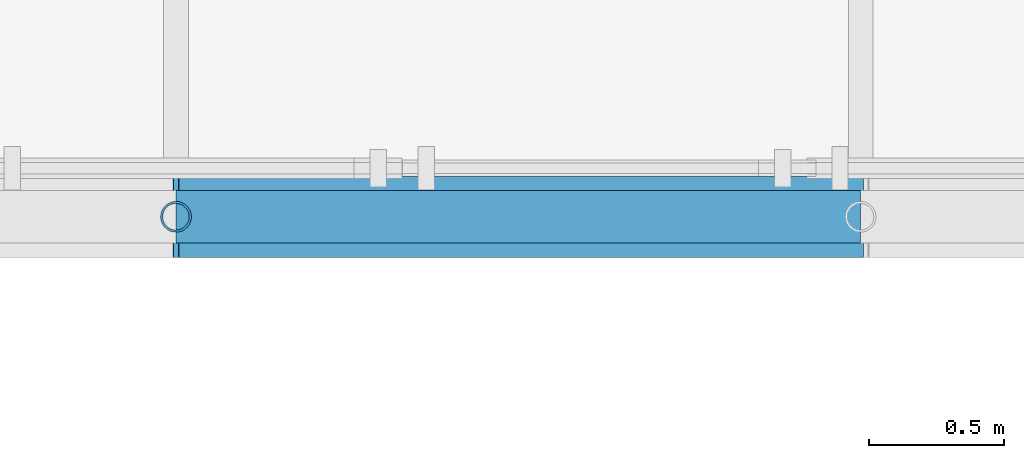
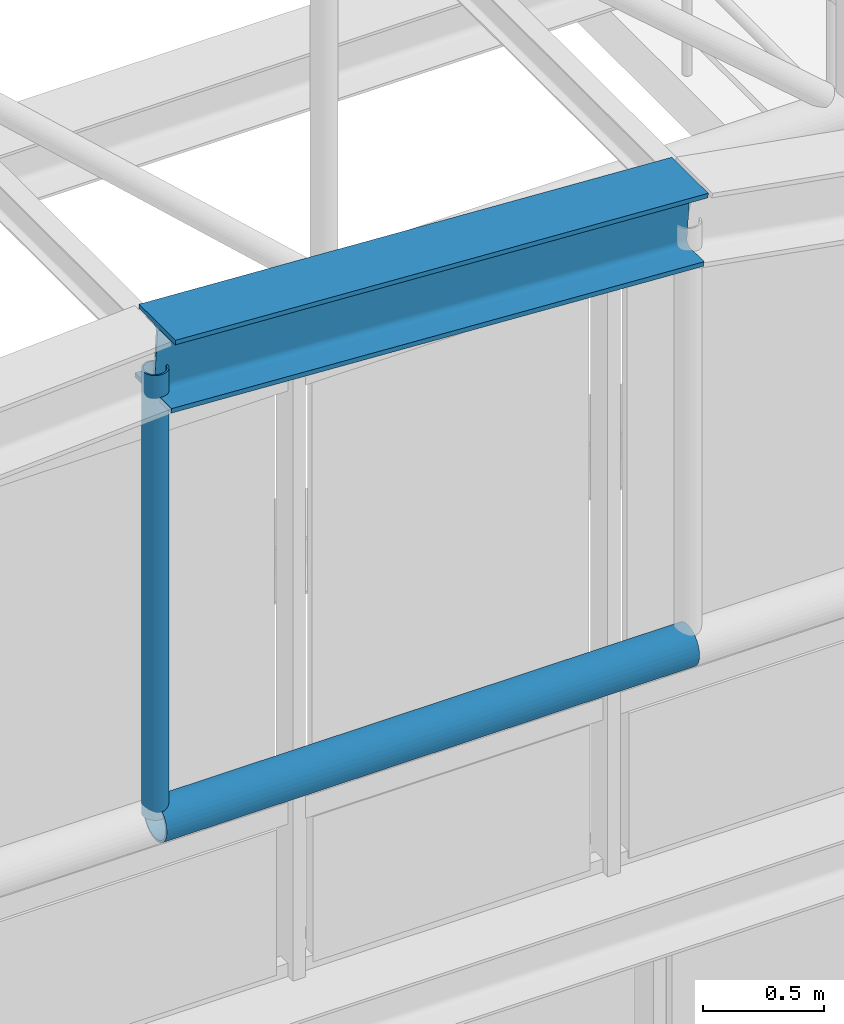
# One storey, part 53 of 148: 2 members, 1 beam.
"""IFC4 building model written with IfcOpenShell, lengths in metres."""

from ifc_helpers import new_model, si_unit, direction, frame, origin, origin_2d, place, context, subcontext, project, spatial, hollow_circle, i_section, extrude, material, material_profile, profile_set, type_object, element, save


model = new_model("IFC4")

# Units and contexts
model_context = context("Model", 3, precision=1e-05, world=origin(), true_north=direction((0.0, 1.0)))
body_context = subcontext(model_context, "Body", "Model", "MODEL_VIEW")
ifc_project = project(units=[si_unit("LENGTHUNIT", "METRE"), si_unit("AREAUNIT", "SQUARE_METRE"), si_unit("VOLUMEUNIT", "CUBIC_METRE"), si_unit("PLANEANGLEUNIT", "RADIAN"), si_unit("MASSUNIT", "GRAM", prefix="KILO"), si_unit("THERMODYNAMICTEMPERATUREUNIT", "KELVIN"), si_unit("POWERUNIT", "WATT")], contexts=[model_context])

# Site, building, storey
site_placement = place(None, origin())
site = spatial("IfcSite", under=ifc_project, at=site_placement, CompositionType="ELEMENT")
building_placement = place(site_placement, origin())
building = spatial("IfcBuilding", under=site, at=building_placement, Name="Solvatero Civic Police Headquarters", CompositionType="ELEMENT")
storey_placement = place(building_placement, frame((0.0, 0.0, 5.10009765625)))
storey = spatial("IfcBuildingStorey", under=building, at=storey_placement, Name="L01", CompositionType="ELEMENT", Elevation=5.10009765625)

# Beam
ifc_material = material(Name="Steel S355", Category="steel")
ifc_material_profile_1 = material_profile(ifc_material, i_section(OverallWidth=0.300048828125, OverallDepth=0.360107421875, WebThickness=0.012451171875, FlangeThickness=0.0224609375, FilletRadius=0.027099609375, at=origin_2d()), Name="HEB 360")
ifc_profile_set_1 = profile_set([ifc_material_profile_1], Name="Steel S355")
beam_type = type_object("IfcBeamType", Name="BM-ST-HEB360", PredefinedType="BEAM", material=ifc_profile_set_1)
beam_placement = place(storey_placement, frame((76.800048828125, 41.5, 7.459228515625), z_axis=(0.99830210262, 0.0, -0.058248707316), x_axis=(0.0, 1.0, 0.0)))
element("IfcBeam", 1, at=beam_placement, inside=storey, type_object=beam_type, Name="VLT2 Tied-Arch Vault Top Chord F1.6", PredefinedType="BEAM", context=body_context, shape_type="SweptSolid", body=[
    extrude(i_section(OverallWidth=0.300048828125, OverallDepth=0.360107421875, WebThickness=0.012451171875, FlangeThickness=0.0224609375, FilletRadius=0.027099609375, at=origin_2d()), origin(), (0.0, 0.0, 1.0), 2.5400390625),
])

# Members
ifc_material_profile_2 = material_profile(ifc_material, hollow_circle(Radius=0.05712890625, WallThickness=0.008056640625, at=origin_2d()), Name="CHS 114.3x8.0")
ifc_profile_set_2 = profile_set([ifc_material_profile_2], Name="Steel S355")
member_type_1 = type_object("IfcMemberType", Name="MB-HNG-CHS114", PredefinedType="STRUT", material=ifc_profile_set_2)
member_1_placement = place(storey_placement, frame((76.800048828125, 41.5, 5.17626953125), z_axis=(0.0, 0.0, 1.0), x_axis=(1.0, 0.0, 0.0)))
element("IfcMember", 2, at=member_1_placement, inside=storey, type_object=member_type_1, Name="VLT2 Vault Vertical Hanger F1.5", PredefinedType="STRUT", context=body_context, shape_type="SweptSolid", body=[
    extrude(hollow_circle(Radius=0.05712890625, WallThickness=0.008056640625, at=origin_2d()), origin(), (0.0, 0.0, 1.0), 2.237548828125),
])
ifc_material_profile_3 = material_profile(ifc_material, hollow_circle(Radius=0.096923828125, WallThickness=0.010009765625, at=origin_2d()), Name="CHS 193.7x10.0")
ifc_profile_set_3 = profile_set([ifc_material_profile_3], Name="Steel S355")
member_type_2 = type_object("IfcMemberType", Name="MB-TIE-CHS194", PredefinedType="CHORD", material=ifc_profile_set_3)
member_2_placement = place(storey_placement, frame((76.800048828125, 41.5, 5.13623046875), z_axis=(1.0, 0.0, 0.0), x_axis=(0.0, 1.0, 0.0)))
element("IfcMember", 3, at=member_2_placement, inside=storey, type_object=member_type_2, Name="VLT2 Vault Horizontal Tie Chord F1.5", PredefinedType="CHORD", context=body_context, shape_type="SweptSolid", body=[
    extrude(hollow_circle(Radius=0.096923828125, WallThickness=0.010009765625, at=origin_2d()), origin(), (0.0, 0.0, 1.0), 2.53564453125),
])

save(model, "model.ifc")
